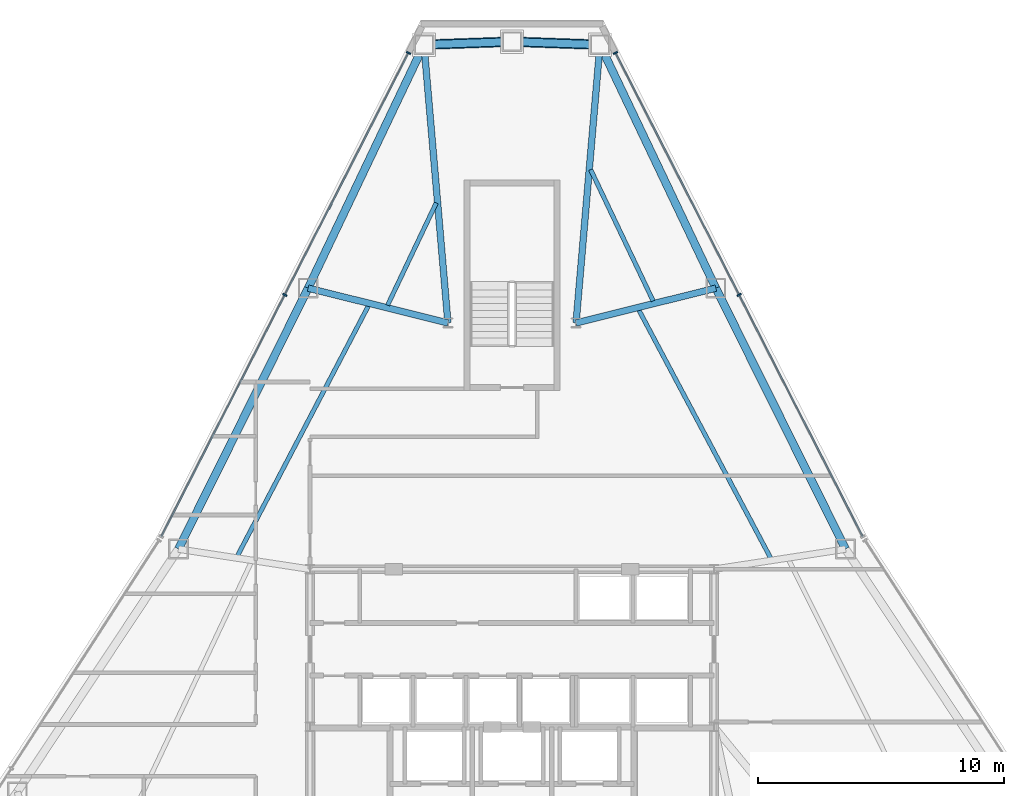
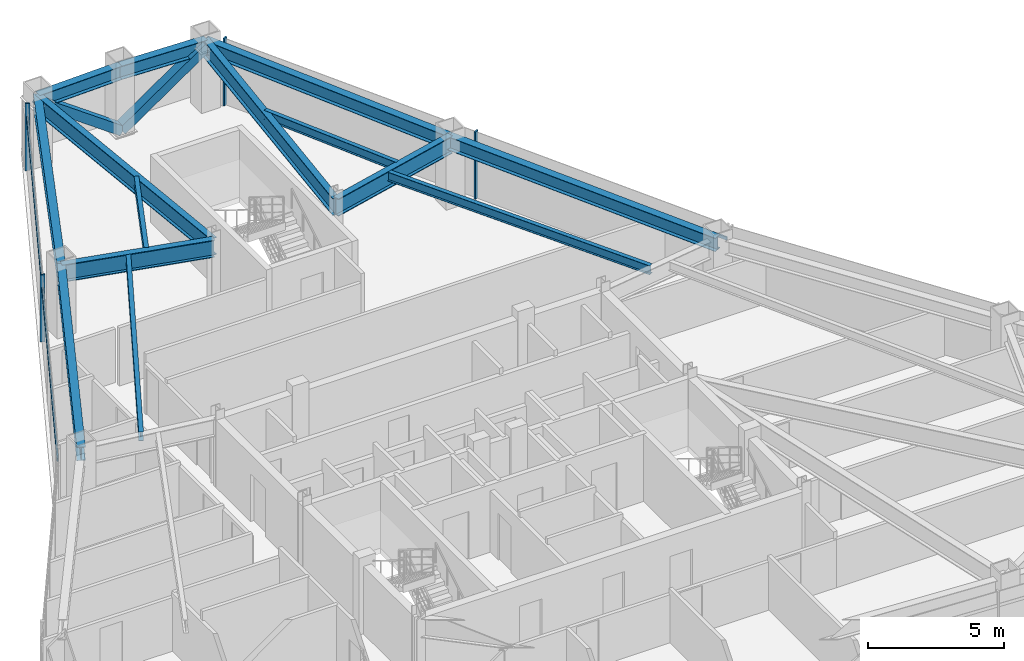
# One storey, part 7 of 12: 14 beams, 8 members, 2 elements without a shape of their own.
"""IFC4 building model written with IfcOpenShell, lengths in metres."""

from ifc_helpers import new_model, si_unit, direction, frame, origin, origin_2d, place, context, subcontext, project, spatial, rectangle, hollow_rectangle, i_section, extrude, source, transform, mapped, material, layer, layer_set, material_profile, profile_set, type_object, type_shapes, element, aggregate, save


model = new_model("IFC4")

# Units and contexts
model_context = context("Model", 3, precision=1e-05, world=origin(), true_north=direction((0.0, 1.0)))
body_context = subcontext(model_context, "Body", "Model", "MODEL_VIEW")
ifc_project = project(units=[si_unit("LENGTHUNIT", "METRE"), si_unit("AREAUNIT", "SQUARE_METRE"), si_unit("VOLUMEUNIT", "CUBIC_METRE"), si_unit("PLANEANGLEUNIT", "RADIAN"), si_unit("MASSUNIT", "GRAM", prefix="KILO")], contexts=[model_context])

# Site, building, storey
site_placement = place(None, origin())
site = spatial("IfcSite", under=ifc_project, at=site_placement, CompositionType="ELEMENT")
building_placement = place(site_placement, origin())
building = spatial("IfcBuilding", under=site, at=building_placement, Name="Varakhsha Concourse Tower", CompositionType="ELEMENT")
storey_placement = place(building_placement, frame((0.0, 0.0, 193.050048828125)))
storey = spatial("IfcBuildingStorey", under=building, at=storey_placement, Name="L55", CompositionType="ELEMENT", Elevation=193.050048828125)

# Beams
ifc_material_1 = material(Name="Structural Steel ASTM A992 Grade 50", Category="steel")
ifc_material_profile_1 = material_profile(ifc_material_1, i_section(OverallWidth=0.26611328125, OverallDepth=0.779052734375, WebThickness=0.01708984375, FlangeThickness=0.030029296875, at=origin_2d()), Name="W30X148")
ifc_profile_set_1 = profile_set([ifc_material_profile_1], Name="Structural Steel ASTM A992 Grade 50")
beam_type_1 = type_object("IfcBeamType", Name="BM-BASE-W30X148", PredefinedType="USERDEFINED", material=ifc_profile_set_1)
for number, where, z_axis, x_axis, name in (
    (1, (42.60009765625, 41.199951171875, 2.640380859375), (0.085845217868, 0.996308485645, 0.0), (-0.996308485645, 0.085845217868, 0.0), "L55 Radial Floor Girder 01"),
    (2, (37.39990234375, 41.199951171875, 2.640380859375), (-0.085845217868, 0.996308485645, 0.0), (-0.996308485645, -0.085845217868, 0.0), "L55 Radial Floor Girder 03"),
):
    element("IfcBeam", number, at=place(storey_placement, frame(where, z_axis=z_axis, x_axis=x_axis)), inside=storey, type_object=beam_type_1, Name=name, ObjectType="GIRDER", PredefinedType="USERDEFINED", context=body_context, shape_type="SweptSolid", body=[
        extrude(i_section(OverallWidth=0.26611328125, OverallDepth=0.779052734375, WebThickness=0.01708984375, FlangeThickness=0.030029296875, at=origin_2d()), origin(), (0.0, 0.0, 1.0), 11.3359375),
    ])
for number, where, z_axis, x_axis, name in (
    (3, (37.39990234375, 41.199951171875, 2.640380859375), (-0.970458420491, 0.241268427478, 0.0), (-0.241268427478, -0.970458420491, 0.0), "L55 Radial Floor Girder 04"),
    (4, (42.60009765625, 41.199951171875, 2.640380859375), (0.970458420491, 0.241268427478, 0.0), (-0.241268427478, 0.970458420491, 0.0), "L55 Radial Floor Girder 18"),
):
    element("IfcBeam", number, at=place(storey_placement, frame(where, z_axis=z_axis, x_axis=x_axis)), inside=storey, type_object=beam_type_1, Name=name, ObjectType="GIRDER", PredefinedType="USERDEFINED", context=body_context, shape_type="SweptSolid", body=[
        extrude(i_section(OverallWidth=0.26611328125, OverallDepth=0.779052734375, WebThickness=0.01708984375, FlangeThickness=0.030029296875, at=origin_2d()), origin(), (0.0, 0.0, 1.0), 5.848876953125),
    ])
ifc_material_profile_2 = material_profile(ifc_material_1, i_section(OverallWidth=0.177978515625, OverallDepth=0.406982421875, WebThickness=0.008056640625, FlangeThickness=0.012939453125, at=origin_2d()), Name="W16X40")
ifc_profile_set_2 = profile_set([ifc_material_profile_2], Name="Structural Steel ASTM A992 Grade 50")
beam_type_2 = type_object("IfcBeamType", Name="BM-JST-W16X40", PredefinedType="JOIST", material=ifc_profile_set_2)
beam_1_placement = place(storey_placement, frame((36.924560546875, 46.070068359375, 2.826416015625), z_axis=(-0.429704680035, -0.902969483402, 0.0), x_axis=(0.902969483402, -0.429704680035, 0.0)))
element("IfcBeam", 5, at=beam_1_placement, inside=storey, type_object=beam_type_2, Name="BM-TJST-L55-03", PredefinedType="JOIST", context=body_context, shape_type="SweptSolid", body=[
    extrude(i_section(OverallWidth=0.177978515625, OverallDepth=0.406982421875, WebThickness=0.008056640625, FlangeThickness=0.012939453125, at=origin_2d()), origin(), (0.0, 0.0, 1.0), 4.595947265625),
])
beam_2_placement = place(storey_placement, frame((34.17041015625, 41.892822265625, 2.826416015625), z_axis=(-0.464131346867, -0.885766387292, 0.0), x_axis=(0.885766387292, -0.464131346867, 0.0)))
element("IfcBeam", 6, at=beam_2_placement, inside=storey, type_object=beam_type_2, Name="BM-TJST-L55-04", PredefinedType="JOIST", context=body_context, shape_type="SweptSolid", body=[
    extrude(i_section(OverallWidth=0.177978515625, OverallDepth=0.406982421875, WebThickness=0.008056640625, FlangeThickness=0.012939453125, at=origin_2d()), origin(), (0.0, 0.0, 1.0), 11.444091796875),
])
beam_3_placement = place(storey_placement, frame((50.499267578125, 31.657470703125, 2.826416015625), z_axis=(-0.469313890495, 0.883031410646, 0.0), x_axis=(-0.883031410646, -0.469313890495, 0.0)))
element("IfcBeam", 7, at=beam_3_placement, inside=storey, type_object=beam_type_2, Name="BM-TJST-L55-17", PredefinedType="JOIST", context=body_context, shape_type="SweptSolid", body=[
    extrude(i_section(OverallWidth=0.177978515625, OverallDepth=0.406982421875, WebThickness=0.008056640625, FlangeThickness=0.012939453125, at=origin_2d()), origin(), (0.0, 0.0, 1.0), 11.39990234375),
])
beam_4_placement = place(storey_placement, frame((45.7314453125, 42.089599609375, 2.826416015625), z_axis=(-0.429692996927, 0.902975043061, 0.0), x_axis=(-0.902975043061, -0.429692996927, 0.0)))
element("IfcBeam", 8, at=beam_4_placement, inside=storey, type_object=beam_type_2, Name="BM-TJST-L55-18", PredefinedType="JOIST", context=body_context, shape_type="SweptSolid", body=[
    extrude(i_section(OverallWidth=0.177978515625, OverallDepth=0.406982421875, WebThickness=0.008056640625, FlangeThickness=0.012939453125, at=origin_2d()), origin(), (0.0, 0.0, 1.0), 5.908935546875),
])
ifc_material_profile_3 = material_profile(ifc_material_1, i_section(OverallWidth=0.323974609375, OverallDepth=0.611083984375, WebThickness=0.012939453125, FlangeThickness=0.01904296875, at=origin_2d()), Name="W24X104")
ifc_profile_set_3 = profile_set([ifc_material_profile_3], Name="Structural Steel ASTM A992 Grade 50")
beam_type_3 = type_object("IfcBeamType", Name="BM-SPAN-W24X104", PredefinedType="SPANDREL", material=ifc_profile_set_3)
for number, where, z_axis, x_axis, name in (
    (9, (43.5732421875, 52.494140625, 2.724365234375), (-0.999398188553, 0.034688048632, 0.0), (-0.034688048632, -0.999398188553, 0.0), "BM-SPAN-L55-01"),
    (10, (40.0, 52.6181640625, 2.724365234375), (-0.999398188553, -0.034688048632, 0.0), (0.034688048632, -0.999398188553, 0.0), "BM-SPAN-L55-02"),
):
    element("IfcBeam", number, at=place(storey_placement, frame(where, z_axis=z_axis, x_axis=x_axis)), inside=storey, type_object=beam_type_3, Name=name, PredefinedType="SPANDREL", context=body_context, shape_type="SweptSolid", body=[
        extrude(i_section(OverallWidth=0.323974609375, OverallDepth=0.611083984375, WebThickness=0.012939453125, FlangeThickness=0.01904296875, at=origin_2d()), origin(), (0.0, 0.0, 1.0), 3.575439453125),
    ])
beam_5_placement = place(storey_placement, frame((36.4267578125, 52.494140625, 2.724365234375), z_axis=(-0.429685061896, -0.902978819011, 0.0), x_axis=(0.902978819011, -0.429685061896, 0.0)))
element("IfcBeam", 11, at=beam_5_placement, inside=storey, type_object=beam_type_3, Name="BM-SPAN-L55-03", PredefinedType="SPANDREL", context=body_context, shape_type="SweptSolid", body=[
    extrude(i_section(OverallWidth=0.323974609375, OverallDepth=0.611083984375, WebThickness=0.012939453125, FlangeThickness=0.01904296875, at=origin_2d()), origin(), (0.0, 0.0, 1.0), 10.945068359375),
])
for number, where, z_axis, x_axis, name in (
    (12, (31.723876953125, 42.611083984375, 2.724365234375), (-0.44523944425, -0.895411546321, 0.0), (0.895411546321, -0.44523944425, 0.0), "BM-SPAN-L55-04"),
    (13, (53.54296875, 32.01904296875, 2.724365234375), (-0.44523944425, 0.895411546321, 0.0), (-0.895411546321, -0.44523944425, 0.0), "BM-SPAN-L55-17"),
):
    element("IfcBeam", number, at=place(storey_placement, frame(where, z_axis=z_axis, x_axis=x_axis)), inside=storey, type_object=beam_type_3, Name=name, PredefinedType="SPANDREL", context=body_context, shape_type="SweptSolid", body=[
        extrude(i_section(OverallWidth=0.323974609375, OverallDepth=0.611083984375, WebThickness=0.012939453125, FlangeThickness=0.01904296875, at=origin_2d()), origin(), (0.0, 0.0, 1.0), 11.829345703125),
    ])
beam_6_placement = place(storey_placement, frame((48.276123046875, 42.611083984375, 2.724365234375), z_axis=(-0.429685061896, 0.902978819011, 0.0), x_axis=(-0.902978819011, -0.429685061896, 0.0)))
element("IfcBeam", 14, at=beam_6_placement, inside=storey, type_object=beam_type_3, Name="BM-SPAN-L55-18", PredefinedType="SPANDREL", context=body_context, shape_type="SweptSolid", body=[
    extrude(i_section(OverallWidth=0.323974609375, OverallDepth=0.611083984375, WebThickness=0.012939453125, FlangeThickness=0.01904296875, at=origin_2d()), origin(), (0.0, 0.0, 1.0), 10.945068359375),
])

# Members
ifc_material_2 = material(Name="Structural Steel ASTM A500 Grade C", Category="steel")
ifc_material_profile_4 = material_profile(ifc_material_2, hollow_rectangle(XDim=0.39990234375, YDim=0.39990234375, WallThickness=0.01611328125, at=origin_2d()), Name="HSS 400x400x16")
ifc_profile_set_4 = profile_set([ifc_material_profile_4], Name="Structural Steel ASTM A500 Grade C")
member_type_1 = type_object("IfcMemberType", Name="MB-TUBE-HSS400", PredefinedType="BRACE", material=ifc_profile_set_4)
shared_shape_1 = source(origin(), body_context, "Body", "SweptSolid", [
    extrude(hollow_rectangle(XDim=0.39990234375, YDim=0.39990234375, WallThickness=0.01611328125, at=origin_2d()), origin(), (0.0, 0.0, 1.0), 4.4267578125),
])
type_shapes(member_type_1, [shared_shape_1])
for number, where, z_axis, x_axis, name in (
    (15, (40.0, 52.6181640625, 0.119873046875), (0.807193403042, -0.028016824866, 0.589621800487), (0.034688048632, 0.999398188553, 0.0), "L55 Wind-Corner Tube Brace B01"),
    (16, (40.0, 52.6181640625, 0.119873046875), (-0.807193403042, -0.028016824866, 0.589621800487), (0.034688048632, -0.999398188553, 0.0), "L55 Wind-Corner Tube Brace B02"),
):
    element("IfcMember", number, at=place(storey_placement, frame(where, z_axis=z_axis, x_axis=x_axis)), inside=storey, type_object=member_type_1, Name=name, PredefinedType="BRACE", context=body_context, shape_type="MappedRepresentation", body=[
        mapped(shared_shape_1, transform((0.0, 0.0, 0.0), scale=1.0)),
    ])

# Curtain wall, members
ifc_material_3 = material(Name="Anodised Bronze Architectural Aluminium AA 6063-T6", Category="aluminium")
ifc_layer = layer(ifc_material_3, 0.2099609375, Name="CW-SYS-04")
ifc_layer_set = layer_set([ifc_layer], Name="Anodised Bronze Architectural Aluminium AA 6063-T6")
curtain_wall_type = type_object("IfcCurtainWallType", Name="CW-SYS-04", PredefinedType="NOTDEFINED", material=ifc_layer_set)
curtain_wall_1_placement = place(storey_placement, origin())
curtain_wall_1 = element("IfcCurtainWall", 17, at=curtain_wall_1_placement, inside=storey, type_object=curtain_wall_type, Name="L55 Crystal Curtain Wall F2", PredefinedType="NOTDEFINED")
ifc_material_profile_5 = material_profile(ifc_material_3, rectangle(XDim=0.06494140625, YDim=0.179931640625, at=origin_2d()), Name="CWM-180X65")
ifc_profile_set_5 = profile_set([ifc_material_profile_5], Name="Anodised Bronze Architectural Aluminium AA 6063-T6")
member_type_2 = type_object("IfcMemberType", Name="CWM-180X65", PredefinedType="MULLION", material=ifc_profile_set_5)
shared_shape_2 = source(origin(), body_context, "Body", "SweptSolid", [
    extrude(rectangle(XDim=0.06494140625, YDim=0.179931640625, at=origin_2d()), origin(), (0.0, 0.0, 1.0), 3.030029296875),
])
type_shapes(member_type_2, [shared_shape_2])
member_1_placement = place(storey_placement, frame((30.77783203125, 42.342041015625, 0.0), z_axis=(0.0, 0.0, 1.0), x_axis=(0.455102042277, 0.890439291089, 0.0)))
member_1 = element("IfcMember", 18, at=member_1_placement, type_object=member_type_2, Name="CW-L55-F2 Mullion 01", PredefinedType="MULLION", context=body_context, shape_type="MappedRepresentation", body=[
    mapped(shared_shape_2, transform((0.0, 0.0, 0.0), scale=1.0)),
])
member_2_placement = place(storey_placement, frame((35.796142578125, 52.160888671875, 0.0), z_axis=(0.0, 0.0, 1.0), x_axis=(0.455102042277, 0.890439291089, 0.0)))
member_2 = element("IfcMember", 19, at=member_2_placement, type_object=member_type_2, Name="CW-L55-F2 Mullion 02", PredefinedType="MULLION", context=body_context, shape_type="MappedRepresentation", body=[
    mapped(shared_shape_2, transform((0.0, 0.0, 0.0), scale=1.0)),
])

curtain_wall_2_placement = place(storey_placement, origin())
curtain_wall_2 = element("IfcCurtainWall", 20, at=curtain_wall_2_placement, inside=storey, type_object=curtain_wall_type, Name="L55 Crystal Curtain Wall F9", PredefinedType="NOTDEFINED")
member_3_placement = place(storey_placement, frame((44.203857421875, 52.160888671875, 0.0), z_axis=(0.0, 0.0, 1.0), x_axis=(0.455102042277, -0.890439291089, 0.0)))
member_3 = element("IfcMember", 21, at=member_3_placement, type_object=member_type_2, Name="CW-L55-F9 Mullion 00", PredefinedType="MULLION", context=body_context, shape_type="MappedRepresentation", body=[
    mapped(shared_shape_2, transform((0.0, 0.0, 0.0), scale=1.0)),
])
member_4_placement = place(storey_placement, frame((49.22216796875, 42.34228515625, 0.0), z_axis=(0.0, 0.0, 1.0), x_axis=(0.455102042277, -0.890439291089, 0.0)))
member_4 = element("IfcMember", 22, at=member_4_placement, type_object=member_type_2, Name="CW-L55-F9 Mullion 01", PredefinedType="MULLION", context=body_context, shape_type="MappedRepresentation", body=[
    mapped(shared_shape_2, transform((0.0, 0.0, 0.0), scale=1.0)),
])

# Member
ifc_material_profile_6 = material_profile(ifc_material_3, rectangle(XDim=0.06005859375, YDim=0.139892578125, at=origin_2d()), Name="CWT-140X60")
ifc_profile_set_6 = profile_set([ifc_material_profile_6], Name="Anodised Bronze Architectural Aluminium AA 6063-T6")
member_type_3 = type_object("IfcMemberType", Name="CWT-140X60", PredefinedType="USERDEFINED", material=ifc_profile_set_6)
shared_shape_3 = source(origin(), body_context, "Body", "SweptSolid", [
    extrude(rectangle(XDim=0.06005859375, YDim=0.139892578125, at=origin_2d()), origin(), (0.0, 0.0, 1.0), 22.0537109375),
])
type_shapes(member_type_3, [shared_shape_3])
member_5_placement = place(storey_placement, frame((25.759521484375, 32.5234375, 2.3798828125), z_axis=(0.455100331874, 0.890440165271, 0.0), x_axis=(-0.890440165271, 0.455100331874, 0.0)))
member_5 = element("IfcMember", 23, at=member_5_placement, type_object=member_type_3, Name="CW-L55-F2 Transom 01", ObjectType="TRANSOM", PredefinedType="USERDEFINED", context=body_context, shape_type="MappedRepresentation", body=[
    mapped(shared_shape_3, transform((0.0, 0.0, 0.0), scale=1.0)),
])

aggregate(curtain_wall_1, [member_1, member_2, member_5])

member_6_placement = place(storey_placement, frame((44.203857421875, 52.160888671875, 2.3798828125), z_axis=(0.455100331874, -0.890440165271, 0.0), x_axis=(0.890440165271, 0.455100331874, 0.0)))
member_6 = element("IfcMember", 24, at=member_6_placement, type_object=member_type_3, Name="CW-L55-F9 Transom 01", ObjectType="TRANSOM", PredefinedType="USERDEFINED", context=body_context, shape_type="MappedRepresentation", body=[
    mapped(shared_shape_3, transform((0.0, 0.0, 0.0), scale=1.0)),
])

aggregate(curtain_wall_2, [member_3, member_4, member_6])

save(model, "model.ifc")
